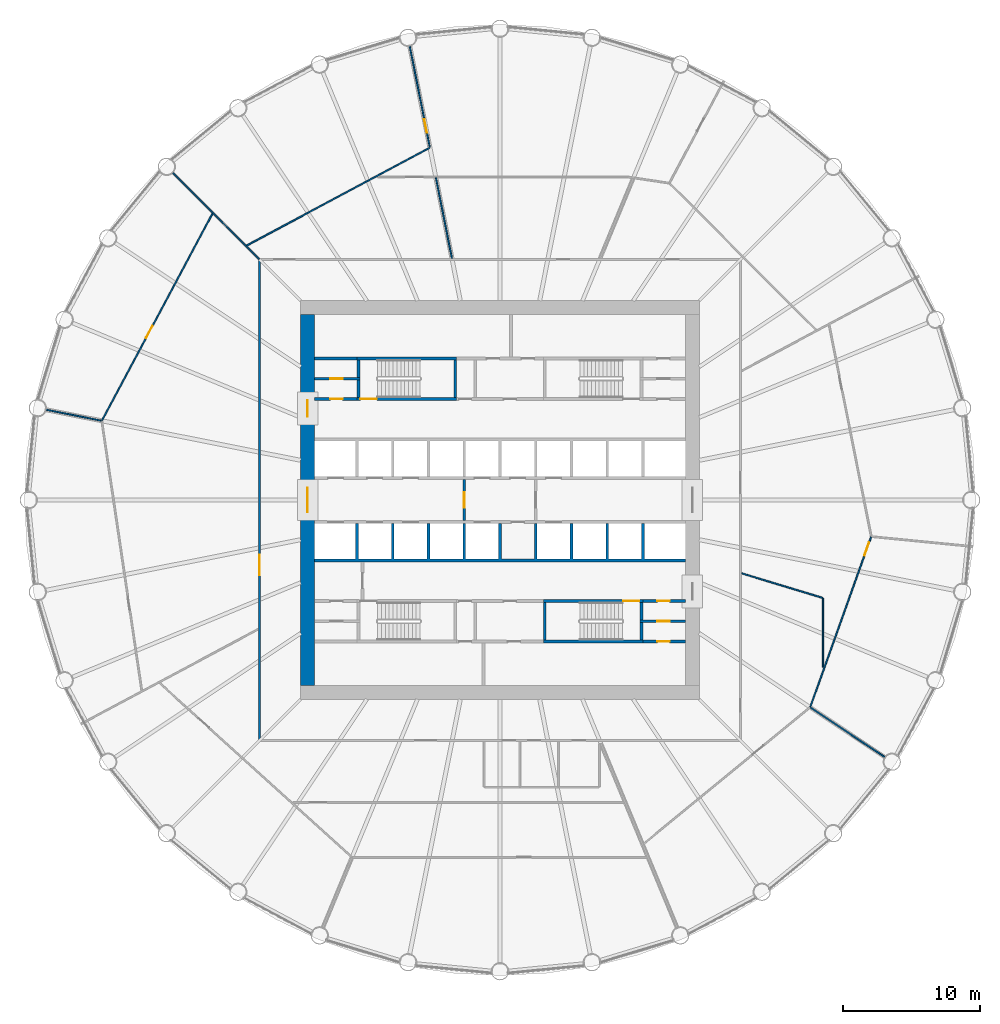
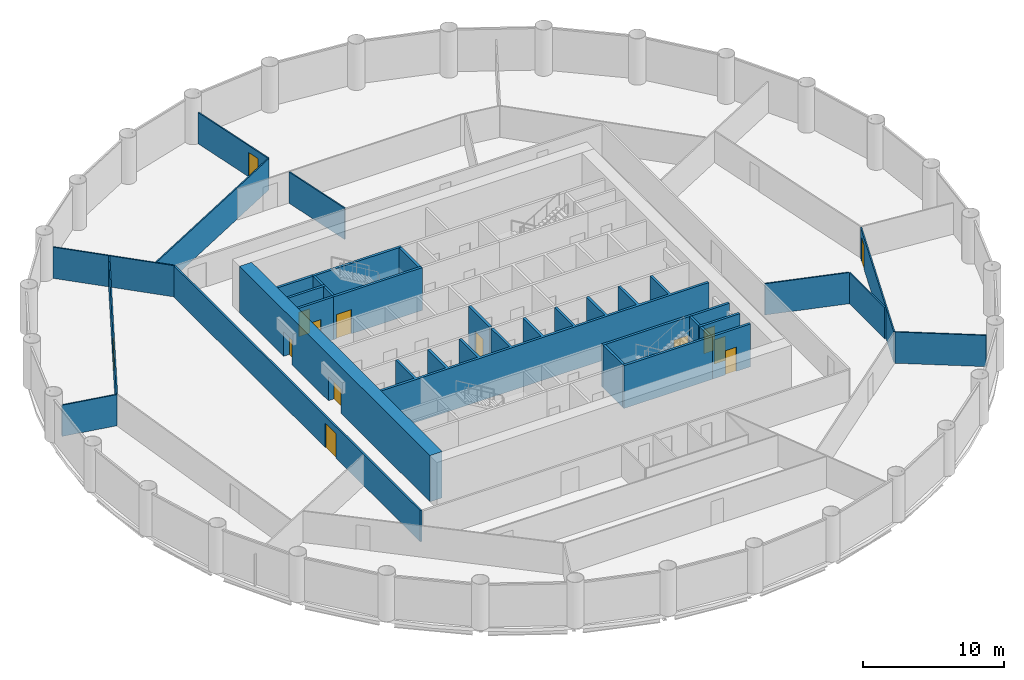
# One storey, part 5 of 8: 30 walls, 14 doors, 14 openings.
"""IFC4 building model written with IfcOpenShell, lengths in metres."""

from ifc_helpers import new_model, si_unit, direction, frame, frame_2d, origin, place, context, subcontext, project, spatial, polyline, rectangle, outline, extrude, material, layer, layer_set, type_object, element, fill, save


model = new_model("IFC4")

# Units and contexts
model_context = context("Model", 3, precision=1e-05, world=origin(), true_north=direction((0.0, 1.0)))
body_context = subcontext(model_context, "Body", "Model", "MODEL_VIEW")
ifc_project = project(units=[si_unit("LENGTHUNIT", "METRE"), si_unit("AREAUNIT", "SQUARE_METRE"), si_unit("VOLUMEUNIT", "CUBIC_METRE"), si_unit("PLANEANGLEUNIT", "RADIAN"), si_unit("MASSUNIT", "GRAM", prefix="KILO")], contexts=[model_context])

# Site, building, storey
site_placement = place(None, origin())
site = spatial("IfcSite", under=ifc_project, at=site_placement, CompositionType="ELEMENT")
building_placement = place(site_placement, origin())
building = spatial("IfcBuilding", under=site, at=building_placement, Name="Corvane Civic Tower", CompositionType="ELEMENT")
storey_placement = place(building_placement, frame((0.0, 0.0, 114.5)))
storey = spatial("IfcBuildingStorey", under=building, at=storey_placement, Name="L26", CompositionType="ELEMENT", Elevation=114.5)

# Wall, openings, doors
ifc_material_1 = material(Name="Concrete C70/85", Category="concrete")
ifc_layer_1 = layer(ifc_material_1, 1.0)
ifc_layer_set_1 = layer_set([ifc_layer_1], Name="Concrete C70/85")
wall_type_1 = type_object("IfcWallType", Name="CORE WALL 1000 C70/85", PredefinedType="SHEAR", material=ifc_layer_set_1)
wall_1_placement = place(storey_placement, frame((-14.0, -13.5, 0.0), z_axis=(0.0, 0.0, 1.0), x_axis=(0.0, 1.0, 0.0)))
wall_1 = element("IfcWall", 1, at=wall_1_placement, inside=storey, type_object=wall_type_1, Name="W-L26-core-W", PredefinedType="SHEAR", context=body_context, shape_type="SweptSolid", body=[
    extrude(rectangle(XDim=27.0, YDim=1.0, at=frame_2d((13.5, 0.0))), origin(), (0.0, 0.0, 1.0), 4.0),
])
opening_1_placement = place(wall_1_placement, frame((12.60009765625, 0.0, 0.0)))
opening_1 = element("IfcOpeningElement", 2, at=opening_1_placement, cuts=wall_1, Name="Opening L26.C27", PredefinedType="OPENING", context=body_context, shape_type="SweptSolid", body=[
    extrude(rectangle(XDim=1.800048828125, YDim=2.10009765625, at=frame_2d((0.89990234375, 1.050048828125))), frame((0.0, 0.510009765625, 0.0), z_axis=(0.0, -1.0, 0.0), x_axis=(1.0, 0.0, 0.0)), (0.0, 0.0, 1.0), 1.02001953125),
])
opening_2_placement = place(wall_1_placement, frame((19.550048828125, 0.0, 0.0)))
opening_2 = element("IfcOpeningElement", 3, at=opening_2_placement, cuts=wall_1, Name="Opening L26.C29", PredefinedType="OPENING", context=body_context, shape_type="SweptSolid", body=[
    extrude(rectangle(XDim=1.199951171875, YDim=2.10009765625, at=frame_2d((0.60009765625, 1.050048828125))), frame((0.0, 0.510009765625, 0.0), z_axis=(0.0, -1.0, 0.0), x_axis=(1.0, 0.0, 0.0)), (0.0, 0.0, 1.0), 1.02001953125),
])
ifc_material_2 = material(Name="Steel fire door leaf", Category="steel")
door_type_1 = type_object("IfcDoorType", Name="CR-DOOR-CORE-1800", OperationType="DOUBLE_DOOR_SINGLE_SWING", PredefinedType="DOOR", material=ifc_material_2)
door_1_placement = place(opening_1_placement, origin())
door_1 = element("IfcDoor", 4, at=door_1_placement, inside=storey, type_object=door_type_1, Name="L26 door", OperationType="DOUBLE_DOOR_SINGLE_SWING", OverallHeight=2.10009765625, OverallWidth=1.800048828125, PredefinedType="DOOR", context=body_context, shape_type="SweptSolid", body=[
    extrude(rectangle(XDim=1.800048828125, YDim=2.10009765625, at=frame_2d((0.89990234375, 1.050048828125))), frame((0.0, 0.02490234375, 0.0), z_axis=(0.0, -1.0, 0.0), x_axis=(1.0, 0.0, 0.0)), (0.0, 0.0, 1.0), 0.050048828125),
])
fill(opening_1, door_1)
door_2_placement = place(opening_2_placement, origin())
door_2 = element("IfcDoor", 5, at=door_2_placement, inside=storey, type_object=door_type_1, Name="L26 door", OperationType="DOUBLE_DOOR_SINGLE_SWING", OverallHeight=2.10009765625, OverallWidth=1.199951171875, PredefinedType="DOOR", context=body_context, shape_type="SweptSolid", body=[
    extrude(rectangle(XDim=1.199951171875, YDim=2.10009765625, at=frame_2d((0.60009765625, 1.050048828125))), frame((0.0, 0.02490234375, 0.0), z_axis=(0.0, -1.0, 0.0), x_axis=(1.0, 0.0, 0.0)), (0.0, 0.0, 1.0), 0.050048828125),
])
fill(opening_2, door_2)

# Wall, opening, door
ifc_material_3 = material(Name="Concrete C30/37", Category="concrete")
ifc_layer_2 = layer(ifc_material_3, 0.199951171875)
ifc_layer_set_2 = layer_set([ifc_layer_2], Name="Concrete C30/37")
wall_type_2 = type_object("IfcWallType", Name="CR-WALL-200", PredefinedType="PARTITIONING", material=ifc_layer_set_2)
wall_2_placement = place(storey_placement, frame((10.39990234375, -10.300048828125, 0.0), z_axis=(0.0, 0.0, 1.0), x_axis=(1.0, 0.0, 0.0)))
wall_2 = element("IfcWall", 6, at=wall_2_placement, inside=storey, type_object=wall_type_2, Name="L26 partition wall", PredefinedType="PARTITIONING", context=body_context, shape_type="SweptSolid", body=[
    extrude(rectangle(XDim=3.10009765625, YDim=0.199951171875, at=frame_2d((1.550048828125, 0.0))), origin(), (0.0, 0.0, 1.0), 3.699951171875),
])
opening_3_placement = place(wall_2_placement, frame((1.050048828125, 0.0, 0.0)))
opening_3 = element("IfcOpeningElement", 7, at=opening_3_placement, cuts=wall_2, Name="Opening L26.C19", PredefinedType="OPENING", context=body_context, shape_type="SweptSolid", body=[
    extrude(rectangle(XDim=0.89990234375, YDim=2.10009765625, at=frame_2d((0.449951171875, 1.050048828125))), frame((0.0, 0.10986328125, 0.0), z_axis=(0.0, -1.0, 0.0), x_axis=(1.0, 0.0, 0.0)), (0.0, 0.0, 1.0), 0.219970703125),
])
ifc_material_4 = material(Name="Steel fire door leaf", Category="steel")
door_type_2 = type_object("IfcDoorType", Name="CR-DOOR-900", OperationType="SINGLE_SWING_LEFT", PredefinedType="DOOR", material=ifc_material_4)
door_3_placement = place(opening_3_placement, origin())
door_3 = element("IfcDoor", 8, at=door_3_placement, inside=storey, type_object=door_type_2, Name="L26 door", OperationType="SINGLE_SWING_LEFT", OverallHeight=2.10009765625, OverallWidth=0.89990234375, PredefinedType="DOOR", context=body_context, shape_type="SweptSolid", body=[
    extrude(rectangle(XDim=0.89990234375, YDim=2.10009765625, at=frame_2d((0.449951171875, 1.050048828125))), frame((0.0, 0.02490234375, 0.0), z_axis=(0.0, -1.0, 0.0), x_axis=(1.0, 0.0, 0.0)), (0.0, 0.0, 1.0), 0.050048828125),
])
fill(opening_3, door_3)

wall_3_placement = place(storey_placement, frame((10.199951171875, -8.824951171875, 0.0), z_axis=(0.0, 0.0, 1.0), x_axis=(1.0, 0.0, 0.0)))
wall_3 = element("IfcWall", 9, at=wall_3_placement, inside=storey, type_object=wall_type_2, Name="L26 partition wall", PredefinedType="PARTITIONING", context=body_context, shape_type="SweptSolid", body=[
    extrude(rectangle(XDim=3.300048828125, YDim=0.199951171875, at=frame_2d((1.64990234375, 0.0))), origin(), (0.0, 0.0, 1.0), 3.699951171875),
])
opening_4_placement = place(wall_3_placement, frame((1.25, 0.0, 0.0)))
opening_4 = element("IfcOpeningElement", 10, at=opening_4_placement, cuts=wall_3, Name="Opening L26.C18", PredefinedType="OPENING", context=body_context, shape_type="SweptSolid", body=[
    extrude(rectangle(XDim=0.89990234375, YDim=2.10009765625, at=frame_2d((0.449951171875, 1.050048828125))), frame((0.0, 0.10986328125, 0.0), z_axis=(0.0, -1.0, 0.0), x_axis=(1.0, 0.0, 0.0)), (0.0, 0.0, 1.0), 0.219970703125),
])
door_4_placement = place(opening_4_placement, origin())
door_4 = element("IfcDoor", 11, at=door_4_placement, inside=storey, type_object=door_type_2, Name="L26 door", OperationType="SINGLE_SWING_LEFT", OverallHeight=2.10009765625, OverallWidth=0.89990234375, PredefinedType="DOOR", context=body_context, shape_type="SweptSolid", body=[
    extrude(rectangle(XDim=0.89990234375, YDim=2.10009765625, at=frame_2d((0.449951171875, 1.050048828125))), frame((0.0, 0.02490234375, 0.0), z_axis=(0.0, -1.0, 0.0), x_axis=(1.0, 0.0, 0.0)), (0.0, 0.0, 1.0), 0.050048828125),
])
fill(opening_4, door_4)

wall_4_placement = place(storey_placement, frame((10.39990234375, -7.35009765625, 0.0), z_axis=(0.0, 0.0, 1.0), x_axis=(1.0, 0.0, 0.0)))
wall_4 = element("IfcWall", 12, at=wall_4_placement, inside=storey, type_object=wall_type_2, Name="L26 core partition wall", PredefinedType="PARTITIONING", context=body_context, shape_type="SweptSolid", body=[
    extrude(rectangle(XDim=3.10009765625, YDim=0.199951171875, at=frame_2d((1.550048828125, 0.0))), origin(), (0.0, 0.0, 1.0), 3.699951171875),
])
opening_5_placement = place(wall_4_placement, frame((1.050048828125, 0.0, 0.0)))
opening_5 = element("IfcOpeningElement", 13, at=opening_5_placement, cuts=wall_4, Name="Opening L26.C17", PredefinedType="OPENING", context=body_context, shape_type="SweptSolid", body=[
    extrude(rectangle(XDim=0.89990234375, YDim=2.10009765625, at=frame_2d((0.449951171875, 1.050048828125))), frame((0.0, 0.10986328125, 0.0), z_axis=(0.0, -1.0, 0.0), x_axis=(1.0, 0.0, 0.0)), (0.0, 0.0, 1.0), 0.219970703125),
])
door_5_placement = place(opening_5_placement, origin())
door_5 = element("IfcDoor", 14, at=door_5_placement, inside=storey, type_object=door_type_2, Name="L26 door", OperationType="SINGLE_SWING_LEFT", OverallHeight=2.10009765625, OverallWidth=0.89990234375, PredefinedType="DOOR", context=body_context, shape_type="SweptSolid", body=[
    extrude(rectangle(XDim=0.89990234375, YDim=2.10009765625, at=frame_2d((0.449951171875, 1.050048828125))), frame((0.0, 0.02490234375, 0.0), z_axis=(0.0, -1.0, 0.0), x_axis=(1.0, 0.0, 0.0)), (0.0, 0.0, 1.0), 0.050048828125),
])
fill(opening_5, door_5)

wall_5_placement = place(storey_placement, frame((-13.5, 7.35009765625, 0.0), z_axis=(0.0, 0.0, 1.0), x_axis=(1.0, 0.0, 0.0)))
wall_5 = element("IfcWall", 15, at=wall_5_placement, inside=storey, type_object=wall_type_2, Name="L26 core partition wall", PredefinedType="PARTITIONING", context=body_context, shape_type="SweptSolid", body=[
    extrude(rectangle(XDim=3.10009765625, YDim=0.199951171875, at=frame_2d((1.550048828125, 0.0))), origin(), (0.0, 0.0, 1.0), 3.699951171875),
])
opening_6_placement = place(wall_5_placement, frame((1.14990234375, 0.0, 0.0)))
opening_6 = element("IfcOpeningElement", 16, at=opening_6_placement, cuts=wall_5, Name="Opening L26.C10", PredefinedType="OPENING", context=body_context, shape_type="SweptSolid", body=[
    extrude(rectangle(XDim=0.89990234375, YDim=2.10009765625, at=frame_2d((0.449951171875, 1.050048828125))), frame((0.0, 0.10986328125, 0.0), z_axis=(0.0, -1.0, 0.0), x_axis=(1.0, 0.0, 0.0)), (0.0, 0.0, 1.0), 0.219970703125),
])
door_6_placement = place(opening_6_placement, origin())
door_6 = element("IfcDoor", 17, at=door_6_placement, inside=storey, type_object=door_type_2, Name="L26 door", OperationType="SINGLE_SWING_LEFT", OverallHeight=2.10009765625, OverallWidth=0.89990234375, PredefinedType="DOOR", context=body_context, shape_type="SweptSolid", body=[
    extrude(rectangle(XDim=0.89990234375, YDim=2.10009765625, at=frame_2d((0.449951171875, 1.050048828125))), frame((0.0, 0.02490234375, 0.0), z_axis=(0.0, -1.0, 0.0), x_axis=(1.0, 0.0, 0.0)), (0.0, 0.0, 1.0), 0.050048828125),
])
fill(opening_6, door_6)

wall_6_placement = place(storey_placement, frame((-13.5, 8.824951171875, 0.0), z_axis=(0.0, 0.0, 1.0), x_axis=(1.0, 0.0, 0.0)))
wall_6 = element("IfcWall", 18, at=wall_6_placement, inside=storey, type_object=wall_type_2, Name="L26 partition wall", PredefinedType="PARTITIONING", context=body_context, shape_type="SweptSolid", body=[
    extrude(rectangle(XDim=3.300048828125, YDim=0.199951171875, at=frame_2d((1.64990234375, 0.0))), origin(), (0.0, 0.0, 1.0), 3.699951171875),
])
opening_7_placement = place(wall_6_placement, frame((1.14990234375, 0.0, 0.0)))
opening_7 = element("IfcOpeningElement", 19, at=opening_7_placement, cuts=wall_6, Name="Opening L26.C11", PredefinedType="OPENING", context=body_context, shape_type="SweptSolid", body=[
    extrude(rectangle(XDim=0.89990234375, YDim=2.10009765625, at=frame_2d((0.449951171875, 1.050048828125))), frame((0.0, 0.10986328125, 0.0), z_axis=(0.0, -1.0, 0.0), x_axis=(1.0, 0.0, 0.0)), (0.0, 0.0, 1.0), 0.219970703125),
])
door_7_placement = place(opening_7_placement, origin())
door_7 = element("IfcDoor", 20, at=door_7_placement, inside=storey, type_object=door_type_2, Name="L26 door", OperationType="SINGLE_SWING_LEFT", OverallHeight=2.10009765625, OverallWidth=0.89990234375, PredefinedType="DOOR", context=body_context, shape_type="SweptSolid", body=[
    extrude(rectangle(XDim=0.89990234375, YDim=2.10009765625, at=frame_2d((0.449951171875, 1.050048828125))), frame((0.0, 0.02490234375, 0.0), z_axis=(0.0, -1.0, 0.0), x_axis=(1.0, 0.0, 0.0)), (0.0, 0.0, 1.0), 0.050048828125),
])
fill(opening_7, door_7)

wall_7_placement = place(storey_placement, frame((-2.60009765625, -1.5, 0.0), z_axis=(0.0, 0.0, 1.0), x_axis=(0.0, 1.0, 0.0)))
wall_7 = element("IfcWall", 21, at=wall_7_placement, inside=storey, type_object=wall_type_2, Name="L26 firefighting lobby wall", PredefinedType="PARTITIONING", context=body_context, shape_type="SweptSolid", body=[
    extrude(rectangle(XDim=3.0, YDim=0.199951171875, at=frame_2d((1.5, 0.0))), origin(), (0.0, 0.0, 1.0), 3.699951171875),
])
opening_8_placement = place(wall_7_placement, frame((0.949951171875, 0.0, 0.0)))
opening_8 = element("IfcOpeningElement", 22, at=opening_8_placement, cuts=wall_7, Name="Opening L26.C24", PredefinedType="OPENING", context=body_context, shape_type="SweptSolid", body=[
    extrude(rectangle(XDim=1.10009765625, YDim=2.10009765625, at=frame_2d((0.550048828125, 1.050048828125))), frame((0.0, 0.10986328125, 0.0), z_axis=(0.0, -1.0, 0.0), x_axis=(1.0, 0.0, 0.0)), (0.0, 0.0, 1.0), 0.219970703125),
])
ifc_material_5 = material(Name="Steel fire door leaf", Category="steel")
door_type_3 = type_object("IfcDoorType", Name="CR-DOOR-FFL-1100", OperationType="SINGLE_SWING_LEFT", PredefinedType="DOOR", material=ifc_material_5)
door_8_placement = place(opening_8_placement, origin())
door_8 = element("IfcDoor", 23, at=door_8_placement, inside=storey, type_object=door_type_3, Name="L26 lobby door", OperationType="SINGLE_SWING_LEFT", OverallHeight=2.10009765625, OverallWidth=1.10009765625, PredefinedType="DOOR", context=body_context, shape_type="SweptSolid", body=[
    extrude(rectangle(XDim=1.10009765625, YDim=2.10009765625, at=frame_2d((0.550048828125, 1.050048828125))), frame((0.0, 0.02490234375, 0.0), z_axis=(0.0, -1.0, 0.0), x_axis=(1.0, 0.0, 0.0)), (0.0, 0.0, 1.0), 0.050048828125),
])
fill(opening_8, door_8)

# Walls
wall_8_placement = place(storey_placement, origin())
element("IfcWall", 24, at=wall_8_placement, inside=storey, type_object=wall_type_2, Name="L26 core partition wall", PredefinedType="PARTITIONING", context=body_context, shape_type="SweptSolid", body=[
    extrude(outline(polyline([(-13.5, 10.199951171875), (-13.5, 10.39990234375), (-10.39990234375, 10.39990234375), (-10.39990234375, 10.199951171875), (-13.5, 10.199951171875)])), origin(), (0.0, 0.0, 1.0), 3.699951171875),
])
wall_9_placement = place(storey_placement, origin())
element("IfcWall", 25, at=wall_9_placement, inside=storey, type_object=wall_type_2, Name="L26 core partition wall", PredefinedType="PARTITIONING", context=body_context, shape_type="SweptSolid", body=[
    extrude(outline(polyline([(-10.300048828125, -1.699951171875), (-10.300048828125, -4.300048828125), (-7.89990234375, -4.300048828125), (-7.89990234375, -1.699951171875), (-7.699951171875, -1.699951171875), (-7.699951171875, -4.300048828125), (-5.300048828125, -4.300048828125), (-5.300048828125, -1.699951171875), (-5.10009765625, -1.699951171875), (-5.10009765625, -4.300048828125), (-2.699951171875, -4.300048828125), (-2.699951171875, -1.699951171875), (-2.5, -1.699951171875), (-2.5, -4.300048828125), (-0.10009765625, -4.300048828125), (-0.10009765625, -1.699951171875), (0.10009765625, -1.699951171875), (0.10009765625, -4.300048828125), (2.5, -4.300048828125), (2.5, -1.699951171875), (2.699951171875, -1.699951171875), (2.699951171875, -4.300048828125), (5.10009765625, -4.300048828125), (5.10009765625, -1.699951171875), (5.300048828125, -1.699951171875), (5.300048828125, -4.300048828125), (7.699951171875, -4.300048828125), (7.699951171875, -1.699951171875), (7.89990234375, -1.699951171875), (7.89990234375, -4.300048828125), (10.300048828125, -4.300048828125), (10.300048828125, -1.699951171875), (10.5, -1.699951171875), (10.5, -4.300048828125), (13.5, -4.300048828125), (13.5, -4.5), (-13.5, -4.5), (-13.5, -4.300048828125), (-10.5, -4.300048828125), (-10.5, -1.699951171875), (-10.300048828125, -1.699951171875)])), origin(), (0.0, 0.0, 1.0), 3.699951171875),
])
ifc_material_6 = material(Name="Plasterboard")
ifc_layer_3 = layer(ifc_material_6, 0.10009765625)
ifc_layer_set_3 = layer_set([ifc_layer_3], Name="Plasterboard")
wall_type_3 = type_object("IfcWallType", Name="Partition 100 plasterboard on studs", PredefinedType="PARTITIONING", material=ifc_layer_set_3)
wall_10_placement = place(storey_placement, frame((22.599609375, -15.1005859375, 0.0), z_axis=(0.0, 0.0, 1.0), x_axis=(0.831464833466, -0.555577384988, 0.0)))
element("IfcWall", 26, at=wall_10_placement, inside=storey, type_object=wall_type_3, Name="Partition L26.012", PredefinedType="PARTITIONING", context=body_context, shape_type="SweptSolid", body=[
    extrude(rectangle(XDim=6.48486328125, YDim=0.10009765625, at=frame_2d((3.242431640625, 0.0))), origin(), (0.0, 0.0, 1.0), 2.699951171875),
])

# Wall, opening, door
wall_11_placement = place(storey_placement, frame((22.580322265625, -15.042236328125, 0.0), z_axis=(0.0, 0.0, 1.0), x_axis=(0.336893087006, 0.941542908171, 0.0)))
wall_11 = element("IfcWall", 27, at=wall_11_placement, inside=storey, type_object=wall_type_3, Name="Partition L26.017", PredefinedType="PARTITIONING", context=body_context, shape_type="SweptSolid", body=[
    extrude(rectangle(XDim=13.111572265625, YDim=0.10009765625, at=frame_2d((6.5556640625, 0.0))), origin(), (0.0, 0.0, 1.0), 2.699951171875),
])
opening_9_placement = place(wall_11_placement, frame((11.68359375, 0.0, 0.0)))
opening_9 = element("IfcOpeningElement", 28, at=opening_9_placement, cuts=wall_11, Name="Opening L26.018", PredefinedType="OPENING", context=body_context, shape_type="SweptSolid", body=[
    extrude(rectangle(XDim=1.0, YDim=2.10009765625, at=frame_2d((0.5, 1.050048828125))), frame((0.0, 0.06005859375, 0.0), z_axis=(0.0, -1.0, 0.0), x_axis=(1.0, 0.0, 0.0)), (0.0, 0.0, 1.0), 0.1201171875),
])
ifc_material_7 = material(Name="Timber", Category="wood")
door_type_4 = type_object("IfcDoorType", Name="Single door 1000", OperationType="NOTDEFINED", PredefinedType="DOOR", material=ifc_material_7)
door_9_placement = place(opening_9_placement, frame((1.0, 0.0, 0.0), z_axis=(0.0, 0.0, 1.0), x_axis=(-1.0, 0.0, 0.0)))
door_9 = element("IfcDoor", 29, at=door_9_placement, inside=storey, type_object=door_type_4, Name="Door L26.018", OperationType="SINGLE_SWING_LEFT", OverallHeight=2.10009765625, OverallWidth=1.0, PredefinedType="DOOR", context=body_context, shape_type="SweptSolid", body=[
    extrude(rectangle(XDim=1.0, YDim=2.10009765625, at=frame_2d((0.5, 1.050048828125))), frame((0.0, 0.02490234375, 0.0), z_axis=(0.0, -1.0, 0.0), x_axis=(1.0, 0.0, 0.0)), (0.0, 0.0, 1.0), 0.050048828125),
])
fill(opening_9, door_9)

# Walls
wall_12_placement = place(storey_placement, frame((23.5, -12.18359375, 0.0), z_axis=(0.0, 0.0, 1.0), x_axis=(0.0, 1.0, 0.0)))
element("IfcWall", 30, at=wall_12_placement, inside=storey, type_object=wall_type_3, Name="Partition L26.019", PredefinedType="PARTITIONING", context=body_context, shape_type="SweptSolid", body=[
    extrude(rectangle(XDim=5.017822265625, YDim=0.10009765625, at=frame_2d((2.5087890625, 0.0))), origin(), (0.0, 0.0, 1.0), 2.699951171875),
])
wall_13_placement = place(storey_placement, frame((17.589599609375, -5.335693359375, 0.0), z_axis=(0.0, 0.0, 1.0), x_axis=(0.95693740388, -0.290294342101, 0.0)))
element("IfcWall", 31, at=wall_13_placement, inside=storey, type_object=wall_type_3, Name="Partition L26.020", PredefinedType="PARTITIONING", context=body_context, shape_type="SweptSolid", body=[
    extrude(rectangle(XDim=6.139404296875, YDim=0.10009765625, at=frame_2d((3.06982421875, 0.0))), origin(), (0.0, 0.0, 1.0), 2.699951171875),
])
wall_14_placement = place(storey_placement, frame((-33.01806640625, 6.567626953125, 0.0), z_axis=(0.0, 0.0, 1.0), x_axis=(0.980787080793, -0.195081270627, 0.0)))
element("IfcWall", 32, at=wall_14_placement, inside=storey, type_object=wall_type_3, Name="Partition L26.023", PredefinedType="PARTITIONING", context=body_context, shape_type="SweptSolid", body=[
    extrude(rectangle(XDim=4.08349609375, YDim=0.10009765625, at=frame_2d((2.041748046875, 0.0))), origin(), (0.0, 0.0, 1.0), 2.699951171875),
])

# Wall, opening, door
wall_15_placement = place(storey_placement, frame((-28.958984375, 5.79638671875, 0.0), z_axis=(0.0, 0.0, 1.0), x_axis=(0.471398972492, 0.881920069356, 0.0)))
wall_15 = element("IfcWall", 33, at=wall_15_placement, inside=storey, type_object=wall_type_3, Name="Partition L26.024", PredefinedType="PARTITIONING", context=body_context, shape_type="SweptSolid", body=[
    extrude(rectangle(XDim=17.0478515625, YDim=0.10009765625, at=frame_2d((8.52392578125, 0.0))), origin(), (0.0, 0.0, 1.0), 2.699951171875),
])
opening_10_placement = place(wall_15_placement, frame((6.794921875, 0.0, 0.0)))
opening_10 = element("IfcOpeningElement", 34, at=opening_10_placement, cuts=wall_15, Name="Opening L26.009", PredefinedType="OPENING", context=body_context, shape_type="SweptSolid", body=[
    extrude(rectangle(XDim=1.0, YDim=2.10009765625, at=frame_2d((0.5, 1.050048828125))), frame((0.0, 0.06005859375, 0.0), z_axis=(0.0, -1.0, 0.0), x_axis=(1.0, 0.0, 0.0)), (0.0, 0.0, 1.0), 0.1201171875),
])
door_10_placement = place(opening_10_placement, origin())
door_10 = element("IfcDoor", 35, at=door_10_placement, inside=storey, type_object=door_type_4, Name="Door L26.009", OperationType="SINGLE_SWING_LEFT", OverallHeight=2.10009765625, OverallWidth=1.0, PredefinedType="DOOR", context=body_context, shape_type="SweptSolid", body=[
    extrude(rectangle(XDim=1.0, YDim=2.10009765625, at=frame_2d((0.5, 1.050048828125))), frame((0.0, 0.02490234375, 0.0), z_axis=(0.0, -1.0, 0.0), x_axis=(1.0, 0.0, 0.0)), (0.0, 0.0, 1.0), 0.050048828125),
])
fill(opening_10, door_10)

# Walls
wall_16_placement = place(storey_placement, frame((-23.8046875, 23.8046875, 0.0), z_axis=(0.0, 0.0, 1.0), x_axis=(0.707106781187, -0.707106781187, 0.0)))
element("IfcWall", 36, at=wall_16_placement, inside=storey, type_object=wall_type_3, Name="Partition L26.028", PredefinedType="PARTITIONING", context=body_context, shape_type="SweptSolid", body=[
    extrude(rectangle(XDim=8.8955078125, YDim=0.10009765625, at=frame_2d((4.44775390625, 0.0))), origin(), (0.0, 0.0, 1.0), 2.699951171875),
])
wall_17_placement = place(storey_placement, frame((-4.66259765625, 23.440185546875, 0.0), z_axis=(0.0, 0.0, 1.0), x_axis=(0.195101563709, -0.980783044225, 0.0)))
element("IfcWall", 37, at=wall_17_placement, inside=storey, type_object=wall_type_3, Name="Partition L26.029", PredefinedType="PARTITIONING", context=body_context, shape_type="SweptSolid", body=[
    extrude(rectangle(XDim=5.97021484375, YDim=0.10009765625, at=frame_2d((2.985107421875, 0.0))), origin(), (0.0, 0.0, 1.0), 2.699951171875),
])
wall_18_placement = place(storey_placement, frame((-18.42431640625, 18.515625, 0.0), z_axis=(0.0, 0.0, 1.0), x_axis=(0.881920754461, 0.471397690757, 0.0)))
element("IfcWall", 38, at=wall_18_placement, inside=storey, type_object=wall_type_3, Name="Partition L26.031", PredefinedType="PARTITIONING", context=body_context, shape_type="SweptSolid", body=[
    extrude(rectangle(XDim=15.071533203125, YDim=0.10009765625, at=frame_2d((7.53564453125, 0.0))), origin(), (0.0, 0.0, 1.0), 2.699951171875),
])

# Wall, opening, door
wall_19_placement = place(storey_placement, frame((-6.56787109375, 33.01806640625, 0.0), z_axis=(0.0, 0.0, 1.0), x_axis=(0.195112778797, -0.980780813205, 0.0)))
wall_19 = element("IfcWall", 39, at=wall_19_placement, inside=storey, type_object=wall_type_3, Name="Partition L26.035", PredefinedType="PARTITIONING", context=body_context, shape_type="SweptSolid", body=[
    extrude(rectangle(XDim=7.487548828125, YDim=0.10009765625, at=frame_2d((3.74365234375, 0.0))), origin(), (0.0, 0.0, 1.0), 2.699951171875),
])
opening_11_placement = place(wall_19_placement, frame((5.41845703125, 0.0, 0.0)))
opening_11 = element("IfcOpeningElement", 40, at=opening_11_placement, cuts=wall_19, Name="Opening L26.011", PredefinedType="OPENING", context=body_context, shape_type="SweptSolid", body=[
    extrude(rectangle(XDim=1.0, YDim=2.10009765625, at=frame_2d((0.5, 1.050048828125))), frame((0.0, 0.06005859375, 0.0), z_axis=(0.0, -1.0, 0.0), x_axis=(1.0, 0.0, 0.0)), (0.0, 0.0, 1.0), 0.1201171875),
])
door_11_placement = place(opening_11_placement, frame((1.0, 0.0, 0.0), z_axis=(0.0, 0.0, 1.0), x_axis=(-1.0, 0.0, 0.0)))
door_11 = element("IfcDoor", 41, at=door_11_placement, inside=storey, type_object=door_type_4, Name="Door L26.011", OperationType="SINGLE_SWING_LEFT", OverallHeight=2.10009765625, OverallWidth=1.0, PredefinedType="DOOR", context=body_context, shape_type="SweptSolid", body=[
    extrude(rectangle(XDim=1.0, YDim=2.10009765625, at=frame_2d((0.5, 1.050048828125))), frame((0.0, 0.02490234375, 0.0), z_axis=(0.0, -1.0, 0.0), x_axis=(1.0, 0.0, 0.0)), (0.0, 0.0, 1.0), 0.050048828125),
])
fill(opening_11, door_11)

ifc_material_8 = material(Name="Concrete C50/60", Category="concrete")
ifc_layer_4 = layer(ifc_material_8, 0.199951171875)
ifc_layer_set_4 = layer_set([ifc_layer_4], Name="Concrete C50/60")
wall_type_4 = type_object("IfcWallType", Name="ST-WALL-200", PredefinedType="SHEAR", material=ifc_layer_set_4)
wall_20_placement = place(storey_placement, frame((3.14990234375, -7.35009765625, 0.0), z_axis=(0.0, 0.0, 1.0), x_axis=(1.0, 0.0, 0.0)))
wall_20 = element("IfcWall", 42, at=wall_20_placement, inside=storey, type_object=wall_type_4, Name="L26 stair enclosure wall", PredefinedType="SHEAR", context=body_context, shape_type="SweptSolid", body=[
    extrude(rectangle(XDim=7.25, YDim=0.199951171875, at=frame_2d((3.625, 0.0))), origin(), (0.0, 0.0, 1.0), 3.699951171875),
])
opening_12_placement = place(wall_20_placement, frame((5.800048828125, 0.0, 0.0)))
opening_12 = element("IfcOpeningElement", 43, at=opening_12_placement, cuts=wall_20, Name="Opening L26.C22", PredefinedType="OPENING", context=body_context, shape_type="SweptSolid", body=[
    extrude(rectangle(XDim=1.199951171875, YDim=2.10009765625, at=frame_2d((0.60009765625, 1.050048828125))), frame((0.0, 0.10986328125, 0.0), z_axis=(0.0, -1.0, 0.0), x_axis=(1.0, 0.0, 0.0)), (0.0, 0.0, 1.0), 0.219970703125),
])
ifc_material_9 = material(Name="Steel fire door leaf", Category="steel")
door_type_5 = type_object("IfcDoorType", Name="ST-DOOR-1200", OperationType="SINGLE_SWING_RIGHT", PredefinedType="DOOR", material=ifc_material_9)
door_12_placement = place(opening_12_placement, origin())
door_12 = element("IfcDoor", 44, at=door_12_placement, inside=storey, type_object=door_type_5, Name="L26 stair door", OperationType="SINGLE_SWING_RIGHT", OverallHeight=2.10009765625, OverallWidth=1.199951171875, PredefinedType="DOOR", context=body_context, shape_type="SweptSolid", body=[
    extrude(rectangle(XDim=1.199951171875, YDim=2.10009765625, at=frame_2d((0.60009765625, 1.050048828125))), frame((0.0, 0.02490234375, 0.0), z_axis=(0.0, -1.0, 0.0), x_axis=(1.0, 0.0, 0.0)), (0.0, 0.0, 1.0), 0.050048828125),
])
fill(opening_12, door_12)

wall_21_placement = place(storey_placement, frame((-10.39990234375, 7.35009765625, 0.0), z_axis=(0.0, 0.0, 1.0), x_axis=(1.0, 0.0, 0.0)))
wall_21 = element("IfcWall", 45, at=wall_21_placement, inside=storey, type_object=wall_type_4, Name="L26 stair enclosure wall", PredefinedType="SHEAR", context=body_context, shape_type="SweptSolid", body=[
    extrude(rectangle(XDim=7.25, YDim=0.199951171875, at=frame_2d((3.625, 0.0))), origin(), (0.0, 0.0, 1.0), 3.699951171875),
])
opening_13_placement = place(wall_21_placement, frame((0.25, 0.0, 0.0)))
opening_13 = element("IfcOpeningElement", 46, at=opening_13_placement, cuts=wall_21, Name="Opening L26.C21", PredefinedType="OPENING", context=body_context, shape_type="SweptSolid", body=[
    extrude(rectangle(XDim=1.199951171875, YDim=2.10009765625, at=frame_2d((0.60009765625, 1.050048828125))), frame((0.0, 0.10986328125, 0.0), z_axis=(0.0, -1.0, 0.0), x_axis=(1.0, 0.0, 0.0)), (0.0, 0.0, 1.0), 0.219970703125),
])
door_13_placement = place(opening_13_placement, origin())
door_13 = element("IfcDoor", 47, at=door_13_placement, inside=storey, type_object=door_type_5, Name="L26 stair door", OperationType="SINGLE_SWING_RIGHT", OverallHeight=2.10009765625, OverallWidth=1.199951171875, PredefinedType="DOOR", context=body_context, shape_type="SweptSolid", body=[
    extrude(rectangle(XDim=1.199951171875, YDim=2.10009765625, at=frame_2d((0.60009765625, 1.050048828125))), frame((0.0, 0.02490234375, 0.0), z_axis=(0.0, -1.0, 0.0), x_axis=(1.0, 0.0, 0.0)), (0.0, 0.0, 1.0), 0.050048828125),
])
fill(opening_13, door_13)

# Walls
wall_22_placement = place(storey_placement, origin())
element("IfcWall", 48, at=wall_22_placement, inside=storey, type_object=wall_type_4, Name="L26 stair enclosure wall", PredefinedType="SHEAR", context=body_context, shape_type="SweptSolid", body=[
    extrude(outline(polyline([(-3.14990234375, 10.199951171875), (-10.39990234375, 10.199951171875), (-10.39990234375, 10.39990234375), (-3.14990234375, 10.39990234375), (-3.14990234375, 10.199951171875)])), origin(), (0.0, 0.0, 1.0), 3.699951171875),
])
wall_23_placement = place(storey_placement, origin())
element("IfcWall", 49, at=wall_23_placement, inside=storey, type_object=wall_type_4, Name="L26 stair enclosure wall", PredefinedType="SHEAR", context=body_context, shape_type="SweptSolid", body=[
    extrude(outline(polyline([(10.39990234375, -10.39990234375), (3.14990234375, -10.39990234375), (3.14990234375, -10.199951171875), (10.39990234375, -10.199951171875), (10.39990234375, -10.39990234375)])), origin(), (0.0, 0.0, 1.0), 3.699951171875),
])
wall_24_placement = place(storey_placement, origin())
element("IfcWall", 50, at=wall_24_placement, inside=storey, type_object=wall_type_4, Name="L26 stair enclosure wall", PredefinedType="SHEAR", context=body_context, shape_type="SweptSolid", body=[
    extrude(outline(polyline([(-3.14990234375, 7.449951171875), (-3.35009765625, 7.449951171875), (-3.35009765625, 10.199951171875), (-3.14990234375, 10.199951171875), (-3.14990234375, 7.449951171875)])), origin(), (0.0, 0.0, 1.0), 3.699951171875),
])
wall_25_placement = place(storey_placement, origin())
element("IfcWall", 51, at=wall_25_placement, inside=storey, type_object=wall_type_4, Name="L26 stair enclosure wall", PredefinedType="SHEAR", context=body_context, shape_type="SweptSolid", body=[
    extrude(outline(polyline([(3.35009765625, -7.449951171875), (3.35009765625, -10.199951171875), (3.14990234375, -10.199951171875), (3.14990234375, -7.449951171875), (3.35009765625, -7.449951171875)])), origin(), (0.0, 0.0, 1.0), 3.699951171875),
])
wall_26_placement = place(storey_placement, origin())
element("IfcWall", 52, at=wall_26_placement, inside=storey, type_object=wall_type_4, Name="L26 stair enclosure wall", PredefinedType="SHEAR", context=body_context, shape_type="SweptSolid", body=[
    extrude(outline(polyline([(-10.199951171875, 8.72509765625), (-10.199951171875, 7.449951171875), (-10.39990234375, 7.449951171875), (-10.39990234375, 8.72509765625), (-10.199951171875, 8.72509765625)])), origin(), (0.0, 0.0, 1.0), 3.699951171875),
])
wall_27_placement = place(storey_placement, origin())
element("IfcWall", 53, at=wall_27_placement, inside=storey, type_object=wall_type_4, Name="L26 stair enclosure wall", PredefinedType="SHEAR", context=body_context, shape_type="SweptSolid", body=[
    extrude(outline(polyline([(10.39990234375, -7.449951171875), (10.39990234375, -8.72509765625), (10.199951171875, -8.72509765625), (10.199951171875, -7.449951171875), (10.39990234375, -7.449951171875)])), origin(), (0.0, 0.0, 1.0), 3.699951171875),
])
wall_28_placement = place(storey_placement, origin())
element("IfcWall", 54, at=wall_28_placement, inside=storey, type_object=wall_type_4, Name="L26 stair enclosure wall", PredefinedType="SHEAR", context=body_context, shape_type="SweptSolid", body=[
    extrude(outline(polyline([(-10.199951171875, 8.925048828125), (-10.39990234375, 8.925048828125), (-10.39990234375, 10.199951171875), (-10.199951171875, 10.199951171875), (-10.199951171875, 8.925048828125)])), origin(), (0.0, 0.0, 1.0), 3.699951171875),
])
wall_29_placement = place(storey_placement, origin())
element("IfcWall", 55, at=wall_29_placement, inside=storey, type_object=wall_type_4, Name="L26 stair enclosure wall", PredefinedType="SHEAR", context=body_context, shape_type="SweptSolid", body=[
    extrude(outline(polyline([(10.39990234375, -8.925048828125), (10.39990234375, -10.199951171875), (10.199951171875, -10.199951171875), (10.199951171875, -8.925048828125), (10.39990234375, -8.925048828125)])), origin(), (0.0, 0.0, 1.0), 3.699951171875),
])

# Wall, opening, door
ifc_material_10 = material(Name="Plasterboard")
ifc_layer_5 = layer(ifc_material_10, 0.14990234375)
ifc_layer_set_5 = layer_set([ifc_layer_5], Name="Plasterboard")
wall_type_5 = type_object("IfcWallType", Name="Tenancy wall 150 EI 60", PredefinedType="PARTITIONING", material=ifc_layer_set_5)
wall_30_placement = place(storey_placement, frame((-17.5, -17.425048828125, 0.0), z_axis=(0.0, 0.0, 1.0), x_axis=(0.0, 1.0, 0.0)))
wall_30 = element("IfcWall", 56, at=wall_30_placement, inside=storey, type_object=wall_type_5, Name="Partition L26.014", PredefinedType="PARTITIONING", context=body_context, shape_type="SweptSolid", body=[
    extrude(rectangle(XDim=34.85009765625, YDim=0.14990234375, at=frame_2d((17.425048828125, 0.0))), origin(), (0.0, 0.0, 1.0), 2.699951171875),
])
opening_14_placement = place(wall_30_placement, frame((11.9443359375, 0.0, 0.0)))
opening_14 = element("IfcOpeningElement", 57, at=opening_14_placement, cuts=wall_30, Name="Opening L26.010", PredefinedType="OPENING", context=body_context, shape_type="SweptSolid", body=[
    extrude(rectangle(XDim=1.5, YDim=2.10009765625, at=frame_2d((0.75, 1.050048828125))), frame((0.0, 0.0849609375, 0.0), z_axis=(0.0, -1.0, 0.0), x_axis=(1.0, 0.0, 0.0)), (0.0, 0.0, 1.0), 0.169921875),
])
ifc_material_11 = material(Name="Steel and timber", Category="steel")
door_type_6 = type_object("IfcDoorType", Name="Fire door FD60 double 1500", OperationType="NOTDEFINED", PredefinedType="DOOR", material=ifc_material_11)
door_14_placement = place(opening_14_placement, origin())
door_14 = element("IfcDoor", 58, at=door_14_placement, inside=storey, type_object=door_type_6, Name="Door L26.010", OperationType="DOUBLE_DOOR_SINGLE_SWING", OverallHeight=2.10009765625, OverallWidth=1.5, PredefinedType="DOOR", context=body_context, shape_type="SweptSolid", body=[
    extrude(rectangle(XDim=1.5, YDim=2.10009765625, at=frame_2d((0.75, 1.050048828125))), frame((0.0, 0.02490234375, 0.0), z_axis=(0.0, -1.0, 0.0), x_axis=(1.0, 0.0, 0.0)), (0.0, 0.0, 1.0), 0.050048828125),
])
fill(opening_14, door_14)

save(model, "model.ifc")
